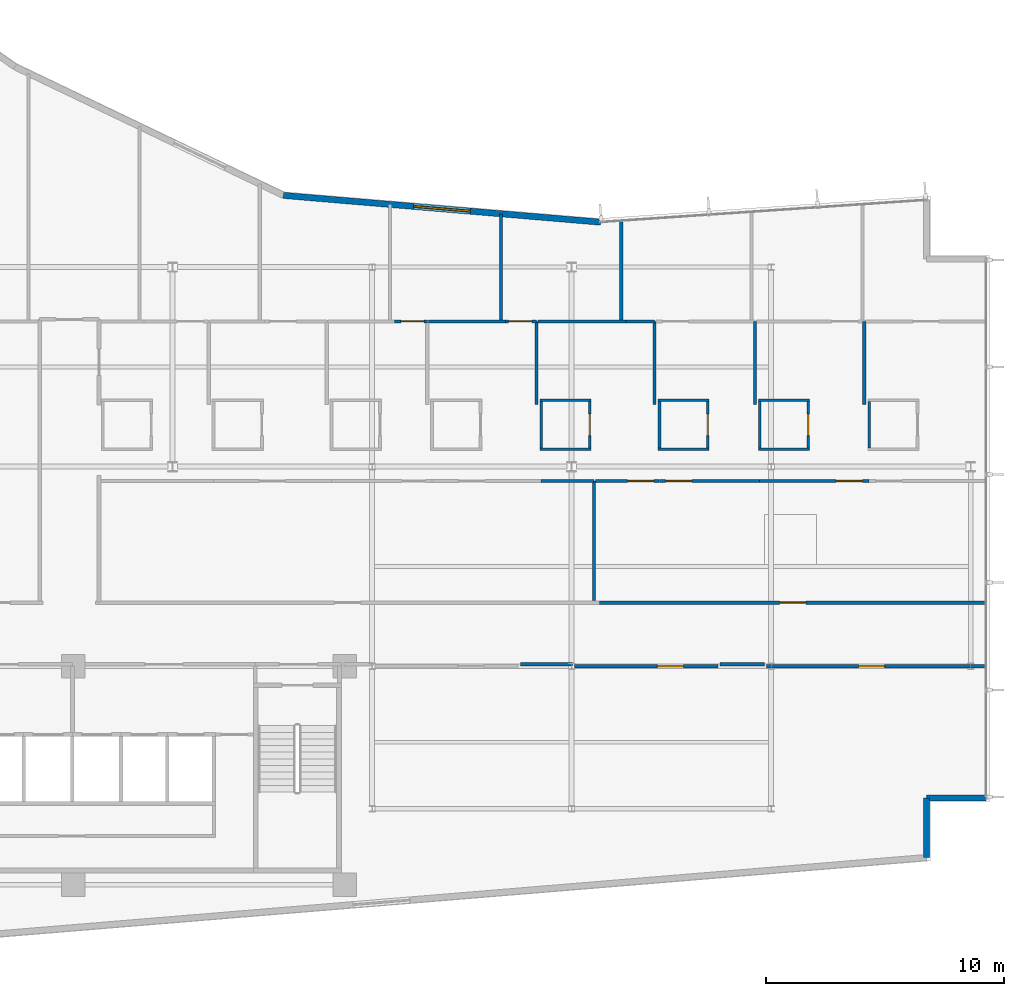
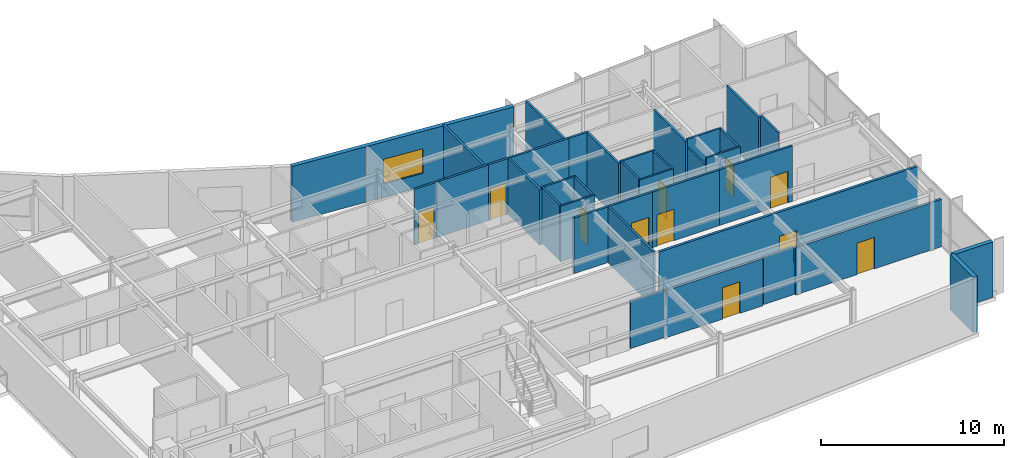
# One storey, part 12 of 16: 37 walls, 11 doors, 1 window, 12 openings.
"""IFC4 building model written with IfcOpenShell, lengths in metres."""

from ifc_helpers import new_model, si_unit, direction, frame, frame_2d, origin, place, context, subcontext, project, spatial, rectangle, extrude, material, layer, layer_set, type_object, element, fill, save


model = new_model("IFC4")

# Units and contexts
model_context = context("Model", 3, precision=1e-05, world=origin(), true_north=direction((0.0, 1.0)))
body_context = subcontext(model_context, "Body", "Model", "MODEL_VIEW")
ifc_project = project(units=[si_unit("LENGTHUNIT", "METRE"), si_unit("AREAUNIT", "SQUARE_METRE"), si_unit("VOLUMEUNIT", "CUBIC_METRE"), si_unit("PLANEANGLEUNIT", "RADIAN"), si_unit("MASSUNIT", "GRAM", prefix="KILO")], contexts=[model_context])

# Site, building, storey
site_placement = place(None, origin())
site = spatial("IfcSite", under=ifc_project, at=site_placement, CompositionType="ELEMENT")
building_placement = place(site_placement, origin())
building = spatial("IfcBuilding", under=site, at=building_placement, Name="Varnakote Quay Hospital", CompositionType="ELEMENT")
storey_placement = place(building_placement, frame((0.0, 0.0, 223.699951171875)))
storey = spatial("IfcBuildingStorey", under=building, at=storey_placement, Name="L55", CompositionType="ELEMENT", Elevation=223.699951171875)

# Walls
ifc_material_1 = material(Name="Fire-rated acoustic gypsum stud wall", Category="gypsum")
ifc_layer_1 = layer(ifc_material_1, 0.159912109375)
ifc_layer_set_1 = layer_set([ifc_layer_1], Name="Fire-rated acoustic gypsum stud wall")
wall_type_1 = type_object("IfcWallType", Name="WL-COMP-160", PredefinedType="PARTITIONING", material=ifc_layer_set_1)
wall_1_placement = place(storey_placement, frame((31.439208984375, 12.080078125, 0.0), z_axis=(0.0, 0.0, 1.0), x_axis=(1.0, 0.0, 0.0)))
element("IfcWall", 1, at=wall_1_placement, inside=storey, type_object=wall_type_1, Name="L55 Corridor South Gap Wall", PredefinedType="PARTITIONING", context=body_context, shape_type="SweptSolid", body=[
    extrude(rectangle(XDim=2.199462890625, YDim=0.159912109375, at=frame_2d((1.099609375, 0.0))), origin(), (0.0, 0.0, 1.0), 3.152099609375),
])
wall_2_placement = place(storey_placement, frame((39.83935546875, 12.080078125, 0.0), z_axis=(0.0, 0.0, 1.0), x_axis=(1.0, 0.0, 0.0)))
element("IfcWall", 2, at=wall_2_placement, inside=storey, type_object=wall_type_1, Name="L55 Corridor South Gap Wall", PredefinedType="PARTITIONING", context=body_context, shape_type="SweptSolid", body=[
    extrude(rectangle(XDim=1.871337890625, YDim=0.159912109375, at=frame_2d((0.935546875, 0.0))), origin(), (0.0, 0.0, 1.0), 3.152099609375),
])
ifc_material_2 = material(Name="Moisture-resistant bathroom partition", Category="gypsum")
ifc_layer_2 = layer(ifc_material_2, 0.114990234375)
ifc_layer_set_2 = layer_set([ifc_layer_2], Name="Moisture-resistant bathroom partition")
wall_type_2 = type_object("IfcWallType", Name="WL-ENS-115", PredefinedType="PARTITIONING", material=ifc_layer_set_2)
for number, where, z_axis, x_axis, name in (
    (3, (32.264892578125, 21.132568359375, 0.0), (0.0, 0.0, 1.0), (1.0, 0.0, 0.0), "L55 Inpatient En-Suite Bathroom 05 S Wall"),
    (4, (32.264892578125, 23.197509765625, 0.0), (0.0, 0.0, 1.0), (1.0, 0.0, 0.0), "L55 Inpatient En-Suite Bathroom 05 N Wall"),
):
    element("IfcWall", number, at=place(storey_placement, frame(where, z_axis=z_axis, x_axis=x_axis)), inside=storey, type_object=wall_type_2, Name=name, PredefinedType="PARTITIONING", context=body_context, shape_type="SweptSolid", body=[
        extrude(rectangle(XDim=2.150146484375, YDim=0.114990234375, at=frame_2d((1.0751953125, 0.0))), origin(), (0.0, 0.0, 1.0), 3.7099609375),
    ])
wall_3_placement = place(storey_placement, frame((32.322509765625, 21.18994140625, 0.0), z_axis=(0.0, 0.0, 1.0), x_axis=(0.0, 1.0, 0.0)))
element("IfcWall", 5, at=wall_3_placement, inside=storey, type_object=wall_type_2, Name="L55 Inpatient En-Suite Bathroom 05 W Wall", PredefinedType="PARTITIONING", context=body_context, shape_type="SweptSolid", body=[
    extrude(rectangle(XDim=1.949951171875, YDim=0.114990234375, at=frame_2d((0.97509765625, 0.0))), origin(), (0.0, 0.0, 1.0), 3.7099609375),
])

# Wall, opening, door
wall_4_placement = place(storey_placement, frame((34.357421875, 21.18994140625, 0.0), z_axis=(0.0, 0.0, 1.0), x_axis=(0.0, 1.0, 0.0)))
wall_4 = element("IfcWall", 6, at=wall_4_placement, inside=storey, type_object=wall_type_2, Name="L55 Inpatient En-Suite Bathroom 05 E Wall", PredefinedType="PARTITIONING", context=body_context, shape_type="SweptSolid", body=[
    extrude(rectangle(XDim=1.949951171875, YDim=0.114990234375, at=frame_2d((0.97509765625, 0.0))), origin(), (0.0, 0.0, 1.0), 3.7099609375),
])
opening_1_placement = place(wall_4_placement, frame((0.514892578125, 0.0, 0.0)))
opening_1 = element("IfcOpeningElement", 7, at=opening_1_placement, cuts=wall_4, Name="Opening D-L55-ENS05", PredefinedType="OPENING", context=body_context, shape_type="SweptSolid", body=[
    extrude(rectangle(XDim=0.919921875, YDim=2.10009765625, at=frame_2d((0.4599609375, 1.050048828125))), frame((0.0, 0.0673828125, 0.0), z_axis=(0.0, -1.0, 0.0), x_axis=(1.0, 0.0, 0.0)), (0.0, 0.0, 1.0), 0.135009765625),
])
ifc_material_3 = material(Name="Moisture-sealed en-suite bathroom door")
door_type_1 = type_object("IfcDoorType", Name="DR-ENS-920x2100", OperationType="NOTDEFINED", PredefinedType="DOOR", material=ifc_material_3)
door_1_placement = place(opening_1_placement, origin())
door_1 = element("IfcDoor", 8, at=door_1_placement, inside=storey, type_object=door_type_1, Name="L55 Inpatient En-Suite Bathroom 05 Door", OperationType="SINGLE_SWING_LEFT", OverallHeight=2.10009765625, OverallWidth=0.919921875, PredefinedType="DOOR", context=body_context, shape_type="SweptSolid", body=[
    extrude(rectangle(XDim=0.919921875, YDim=2.10009765625, at=frame_2d((0.4599609375, 1.050048828125))), frame((0.0, 0.02490234375, 0.0), z_axis=(0.0, -1.0, 0.0), x_axis=(1.0, 0.0, 0.0)), (0.0, 0.0, 1.0), 0.050048828125),
])
fill(opening_1, door_1)

# Walls
for number, where, z_axis, x_axis, name in (
    (9, (37.235107421875, 21.132568359375, 0.0), (0.0, 0.0, 1.0), (1.0, 0.0, 0.0), "L55 Inpatient En-Suite Bathroom 06 S Wall"),
    (10, (37.235107421875, 23.197509765625, 0.0), (0.0, 0.0, 1.0), (1.0, 0.0, 0.0), "L55 Inpatient En-Suite Bathroom 06 N Wall"),
):
    element("IfcWall", number, at=place(storey_placement, frame(where, z_axis=z_axis, x_axis=x_axis)), inside=storey, type_object=wall_type_2, Name=name, PredefinedType="PARTITIONING", context=body_context, shape_type="SweptSolid", body=[
        extrude(rectangle(XDim=2.14990234375, YDim=0.114990234375, at=frame_2d((1.074951171875, 0.0))), origin(), (0.0, 0.0, 1.0), 3.7099609375),
    ])
wall_5_placement = place(storey_placement, frame((37.29248046875, 21.18994140625, 0.0), z_axis=(0.0, 0.0, 1.0), x_axis=(0.0, 1.0, 0.0)))
element("IfcWall", 11, at=wall_5_placement, inside=storey, type_object=wall_type_2, Name="L55 Inpatient En-Suite Bathroom 06 W Wall", PredefinedType="PARTITIONING", context=body_context, shape_type="SweptSolid", body=[
    extrude(rectangle(XDim=1.949951171875, YDim=0.114990234375, at=frame_2d((0.97509765625, 0.0))), origin(), (0.0, 0.0, 1.0), 3.7099609375),
])

# Wall, opening, door
wall_6_placement = place(storey_placement, frame((39.327392578125, 21.18994140625, 0.0), z_axis=(0.0, 0.0, 1.0), x_axis=(0.0, 1.0, 0.0)))
wall_6 = element("IfcWall", 12, at=wall_6_placement, inside=storey, type_object=wall_type_2, Name="L55 Inpatient En-Suite Bathroom 06 E Wall", PredefinedType="PARTITIONING", context=body_context, shape_type="SweptSolid", body=[
    extrude(rectangle(XDim=1.949951171875, YDim=0.114990234375, at=frame_2d((0.97509765625, 0.0))), origin(), (0.0, 0.0, 1.0), 3.7099609375),
])
opening_2_placement = place(wall_6_placement, frame((0.514892578125, 0.0, 0.0)))
opening_2 = element("IfcOpeningElement", 13, at=opening_2_placement, cuts=wall_6, Name="Opening D-L55-ENS06", PredefinedType="OPENING", context=body_context, shape_type="SweptSolid", body=[
    extrude(rectangle(XDim=0.919921875, YDim=2.10009765625, at=frame_2d((0.4599609375, 1.050048828125))), frame((0.0, 0.0673828125, 0.0), z_axis=(0.0, -1.0, 0.0), x_axis=(1.0, 0.0, 0.0)), (0.0, 0.0, 1.0), 0.135009765625),
])
door_2_placement = place(opening_2_placement, origin())
door_2 = element("IfcDoor", 14, at=door_2_placement, inside=storey, type_object=door_type_1, Name="L55 Inpatient En-Suite Bathroom 06 Door", OperationType="SINGLE_SWING_RIGHT", OverallHeight=2.10009765625, OverallWidth=0.919921875, PredefinedType="DOOR", context=body_context, shape_type="SweptSolid", body=[
    extrude(rectangle(XDim=0.919921875, YDim=2.10009765625, at=frame_2d((0.4599609375, 1.050048828125))), frame((0.0, 0.02490234375, 0.0), z_axis=(0.0, -1.0, 0.0), x_axis=(1.0, 0.0, 0.0)), (0.0, 0.0, 1.0), 0.050048828125),
])
fill(opening_2, door_2)

# Walls
for number, where, z_axis, x_axis, name in (
    (15, (41.465087890625, 21.132568359375, 0.0), (0.0, 0.0, 1.0), (1.0, 0.0, 0.0), "L55 Inpatient En-Suite Bathroom 07 S Wall"),
    (16, (41.465087890625, 23.197509765625, 0.0), (0.0, 0.0, 1.0), (1.0, 0.0, 0.0), "L55 Inpatient En-Suite Bathroom 07 N Wall"),
):
    element("IfcWall", number, at=place(storey_placement, frame(where, z_axis=z_axis, x_axis=x_axis)), inside=storey, type_object=wall_type_2, Name=name, PredefinedType="PARTITIONING", context=body_context, shape_type="SweptSolid", body=[
        extrude(rectangle(XDim=2.14990234375, YDim=0.114990234375, at=frame_2d((1.074951171875, 0.0))), origin(), (0.0, 0.0, 1.0), 3.7099609375),
    ])
wall_7_placement = place(storey_placement, frame((41.5224609375, 21.18994140625, 0.0), z_axis=(0.0, 0.0, 1.0), x_axis=(0.0, 1.0, 0.0)))
element("IfcWall", 17, at=wall_7_placement, inside=storey, type_object=wall_type_2, Name="L55 Inpatient En-Suite Bathroom 07 W Wall", PredefinedType="PARTITIONING", context=body_context, shape_type="SweptSolid", body=[
    extrude(rectangle(XDim=1.949951171875, YDim=0.114990234375, at=frame_2d((0.97509765625, 0.0))), origin(), (0.0, 0.0, 1.0), 3.156982421875),
])

# Wall, opening, door
wall_8_placement = place(storey_placement, frame((43.5576171875, 21.18994140625, 0.0), z_axis=(0.0, 0.0, 1.0), x_axis=(0.0, 1.0, 0.0)))
wall_8 = element("IfcWall", 18, at=wall_8_placement, inside=storey, type_object=wall_type_2, Name="L55 Inpatient En-Suite Bathroom 07 E Wall", PredefinedType="PARTITIONING", context=body_context, shape_type="SweptSolid", body=[
    extrude(rectangle(XDim=1.949951171875, YDim=0.114990234375, at=frame_2d((0.97509765625, 0.0))), origin(), (0.0, 0.0, 1.0), 3.7099609375),
])
opening_3_placement = place(wall_8_placement, frame((0.514892578125, 0.0, 0.0)))
opening_3 = element("IfcOpeningElement", 19, at=opening_3_placement, cuts=wall_8, Name="Opening D-L55-ENS07", PredefinedType="OPENING", context=body_context, shape_type="SweptSolid", body=[
    extrude(rectangle(XDim=0.919921875, YDim=2.10009765625, at=frame_2d((0.4599609375, 1.050048828125))), frame((0.0, 0.0673828125, 0.0), z_axis=(0.0, -1.0, 0.0), x_axis=(1.0, 0.0, 0.0)), (0.0, 0.0, 1.0), 0.135009765625),
])
door_3_placement = place(opening_3_placement, origin())
door_3 = element("IfcDoor", 20, at=door_3_placement, inside=storey, type_object=door_type_1, Name="L55 Inpatient En-Suite Bathroom 07 Door", OperationType="SINGLE_SWING_LEFT", OverallHeight=2.10009765625, OverallWidth=0.919921875, PredefinedType="DOOR", context=body_context, shape_type="SweptSolid", body=[
    extrude(rectangle(XDim=0.919921875, YDim=2.10009765625, at=frame_2d((0.4599609375, 1.050048828125))), frame((0.0, 0.02490234375, 0.0), z_axis=(0.0, -1.0, 0.0), x_axis=(1.0, 0.0, 0.0)), (0.0, 0.0, 1.0), 0.050048828125),
])
fill(opening_3, door_3)

# Walls
wall_9_placement = place(storey_placement, frame((46.12255859375, 21.18994140625, 0.0), z_axis=(0.0, 0.0, 1.0), x_axis=(0.0, 1.0, 0.0)))
element("IfcWall", 21, at=wall_9_placement, inside=storey, type_object=wall_type_2, Name="L55 Inpatient En-Suite Bathroom 08 W Wall", PredefinedType="PARTITIONING", context=body_context, shape_type="SweptSolid", body=[
    extrude(rectangle(XDim=1.949951171875, YDim=0.114990234375, at=frame_2d((0.97509765625, 0.0))), origin(), (0.0, 0.0, 1.0), 3.7099609375),
])
ifc_material_4 = material(Name="Precast concrete N50 (f'c 50 MPa)", Category="concrete")
ifc_layer_3 = layer(ifc_material_4, 0.260009765625)
ifc_layer_set_3 = layer_set([ifc_layer_3], Name="Precast concrete N50 (f'c 50 MPa)")
wall_type_3 = type_object("IfcWallType", Name="WL-EXT-BRICK-260", PredefinedType="STANDARD", material=ifc_layer_set_3)
wall_10_placement = place(storey_placement, frame((48.5400390625, 3.947509765625, 0.0), z_axis=(0.0, 0.0, 1.0), x_axis=(0.0, 1.0, 0.0)))
element("IfcWall", 22, at=wall_10_placement, inside=storey, type_object=wall_type_3, Name="L55 Brick-Faced Precast Exterior Wall", PredefinedType="STANDARD", context=body_context, shape_type="SweptSolid", body=[
    extrude(rectangle(XDim=2.512451171875, YDim=0.260009765625, at=frame_2d((1.25634765625, 0.0))), origin(), (0.0, 0.0, 1.0), 3.7099609375),
])
wall_11_placement = place(storey_placement, frame((48.5400390625, 6.4599609375, 0.0), z_axis=(0.0, 0.0, 1.0), x_axis=(1.0, 0.0, 0.0)))
element("IfcWall", 23, at=wall_11_placement, inside=storey, type_object=wall_type_3, Name="L55 Brick-Faced Precast Exterior Wall", PredefinedType="STANDARD", context=body_context, shape_type="SweptSolid", body=[
    extrude(rectangle(XDim=2.5, YDim=0.260009765625, at=frame_2d((1.25, 0.0))), origin(), (0.0, 0.0, 1.0), 3.7099609375),
])

# Wall, opening, window
wall_12_placement = place(storey_placement, frame((34.814697265625, 30.695556640625, 0.0), z_axis=(0.0, 0.0, 1.0), x_axis=(-0.996454704935, 0.084130975344, 0.0)))
wall_12 = element("IfcWall", 24, at=wall_12_placement, inside=storey, type_object=wall_type_3, Name="L55 Brick-Faced Precast Exterior Wall", PredefinedType="STANDARD", context=body_context, shape_type="SweptSolid", body=[
    extrude(rectangle(XDim=13.401123046875, YDim=0.260009765625, at=frame_2d((6.70068359375, 0.0))), origin(), (0.0, 0.0, 1.0), 3.7099609375),
])
opening_4_placement = place(wall_12_placement, frame((5.50048828125, 0.0, 0.89990234375)))
opening_4 = element("IfcOpeningElement", 25, at=opening_4_placement, cuts=wall_12, Name="Opening WN-0227", PredefinedType="OPENING", context=body_context, shape_type="SweptSolid", body=[
    extrude(rectangle(XDim=2.39990234375, YDim=1.64990234375, at=frame_2d((1.199951171875, 0.824951171875))), frame((0.0, 0.139892578125, 0.0), z_axis=(0.0, -1.0, 0.0), x_axis=(1.0, 0.0, 0.0)), (0.0, 0.0, 1.0), 0.280029296875),
])
ifc_material_5 = material(Name="Double-glazed low-E solar glass", Category="glass")
window_type = type_object("IfcWindowType", Name="WIN-CLIN-2400x1650", PartitioningType="SINGLE_PANEL", PredefinedType="WINDOW", material=ifc_material_5)
window_placement = place(opening_4_placement, origin())
window = element("IfcWindow", 26, at=window_placement, inside=storey, type_object=window_type, Name="L55 Solar-Control Clinical Window", OverallHeight=1.64990234375, OverallWidth=2.39990234375, PartitioningType="SINGLE_PANEL", PredefinedType="WINDOW", context=body_context, shape_type="SweptSolid", body=[
    extrude(rectangle(XDim=2.39990234375, YDim=1.64990234375, at=frame_2d((1.199951171875, 0.824951171875))), frame((0.0, 0.030029296875, 0.0), z_axis=(0.0, -1.0, 0.0), x_axis=(1.0, 0.0, 0.0)), (0.0, 0.0, 1.0), 0.06005859375),
])
fill(opening_4, window)

# Walls
ifc_material_6 = material(Name="Smoke-proof clinical partition", Category="gypsum")
ifc_layer_4 = layer(ifc_material_6, 0.135009765625)
ifc_layer_set_4 = layer_set([ifc_layer_4], Name="Smoke-proof clinical partition")
wall_type_4 = type_object("IfcWallType", Name="WL-SMOKE-135", PredefinedType="PARTITIONING", material=ifc_layer_set_4)
wall_13_placement = place(storey_placement, frame((34.5400390625, 14.760009765625, 0.0), z_axis=(0.0, 0.0, 1.0), x_axis=(0.0, 1.0, 0.0)))
element("IfcWall", 27, at=wall_13_placement, inside=storey, type_object=wall_type_4, Name="L55 Clinical Interior Partition", PredefinedType="PARTITIONING", context=body_context, shape_type="SweptSolid", body=[
    extrude(rectangle(XDim=5.0400390625, YDim=0.135009765625, at=frame_2d((2.52001953125, 0.0))), origin(), (0.0, 0.0, 1.0), 3.7099609375),
])
wall_14_placement = place(storey_placement, frame((34.5400390625, 19.800048828125, 0.0), z_axis=(0.0, 0.0, 1.0), x_axis=(-1.0, 0.0, 0.0)))
element("IfcWall", 28, at=wall_14_placement, inside=storey, type_object=wall_type_4, Name="L55 Clinical Interior Partition", PredefinedType="PARTITIONING", context=body_context, shape_type="SweptSolid", body=[
    extrude(rectangle(XDim=2.223388671875, YDim=0.135009765625, at=frame_2d((1.11181640625, 0.0))), origin(), (0.0, 0.0, 1.0), 3.7099609375),
])

# Wall, opening, door
wall_15_placement = place(storey_placement, frame((37.28466796875, 19.800048828125, 0.0), z_axis=(0.0, 0.0, 1.0), x_axis=(-1.0, 0.0, 0.0)))
wall_15 = element("IfcWall", 29, at=wall_15_placement, inside=storey, type_object=wall_type_4, Name="L55 Clinical Interior Partition", PredefinedType="PARTITIONING", context=body_context, shape_type="SweptSolid", body=[
    extrude(rectangle(XDim=2.687255859375, YDim=0.135009765625, at=frame_2d((1.34375, 0.0))), origin(), (0.0, 0.0, 1.0), 3.7099609375),
])
opening_5_placement = place(wall_15_placement, frame((0.229736328125, 0.0, 0.0)))
opening_5 = element("IfcOpeningElement", 30, at=opening_5_placement, cuts=wall_15, Name="Opening D-L55-BR05", PredefinedType="OPENING", context=body_context, shape_type="SweptSolid", body=[
    extrude(rectangle(XDim=1.10009765625, YDim=2.10009765625, at=frame_2d((0.550048828125, 1.050048828125))), frame((0.0, 0.077392578125, 0.0), z_axis=(0.0, -1.0, 0.0), x_axis=(1.0, 0.0, 0.0)), (0.0, 0.0, 1.0), 0.155029296875),
])
ifc_material_7 = material(Name="Acoustic timber clinical consult door", Category="wood")
door_type_2 = type_object("IfcDoorType", Name="DR-CLIN-FD30S-1100x2100", OperationType="NOTDEFINED", PredefinedType="DOOR", material=ifc_material_7)
door_4_placement = place(opening_5_placement, origin())
door_4 = element("IfcDoor", 31, at=door_4_placement, inside=storey, type_object=door_type_2, Name="L55 Inpatient Clinical Treatment Room 05 Door", OperationType="SINGLE_SWING_LEFT", OverallHeight=2.10009765625, OverallWidth=1.10009765625, PredefinedType="DOOR", context=body_context, shape_type="SweptSolid", body=[
    extrude(rectangle(XDim=1.10009765625, YDim=2.10009765625, at=frame_2d((0.550048828125, 1.050048828125))), frame((0.0, 0.02490234375, 0.0), z_axis=(0.0, -1.0, 0.0), x_axis=(1.0, 0.0, 0.0)), (0.0, 0.0, 1.0), 0.050048828125),
])
fill(opening_5, door_4)

wall_16_placement = place(storey_placement, frame((41.5146484375, 19.800048828125, 0.0), z_axis=(0.0, 0.0, 1.0), x_axis=(-1.0, 0.0, 0.0)))
wall_16 = element("IfcWall", 32, at=wall_16_placement, inside=storey, type_object=wall_type_4, Name="L55 Clinical Interior Partition", PredefinedType="PARTITIONING", context=body_context, shape_type="SweptSolid", body=[
    extrude(rectangle(XDim=4.22802734375, YDim=0.135009765625, at=frame_2d((2.114013671875, 0.0))), origin(), (0.0, 0.0, 1.0), 3.7099609375),
])
opening_6_placement = place(wall_16_placement, frame((2.85986328125, 0.0, 0.0)))
opening_6 = element("IfcOpeningElement", 33, at=opening_6_placement, cuts=wall_16, Name="Opening D-L55-BR06", PredefinedType="OPENING", context=body_context, shape_type="SweptSolid", body=[
    extrude(rectangle(XDim=1.10009765625, YDim=2.10009765625, at=frame_2d((0.550048828125, 1.050048828125))), frame((0.0, 0.077392578125, 0.0), z_axis=(0.0, -1.0, 0.0), x_axis=(1.0, 0.0, 0.0)), (0.0, 0.0, 1.0), 0.155029296875),
])
door_5_placement = place(opening_6_placement, origin())
door_5 = element("IfcDoor", 34, at=door_5_placement, inside=storey, type_object=door_type_2, Name="L55 Inpatient Clinical Treatment Room 06 Door", OperationType="SINGLE_SWING_RIGHT", OverallHeight=2.10009765625, OverallWidth=1.10009765625, PredefinedType="DOOR", context=body_context, shape_type="SweptSolid", body=[
    extrude(rectangle(XDim=1.10009765625, YDim=2.10009765625, at=frame_2d((0.550048828125, 1.050048828125))), frame((0.0, 0.02490234375, 0.0), z_axis=(0.0, -1.0, 0.0), x_axis=(1.0, 0.0, 0.0)), (0.0, 0.0, 1.0), 0.050048828125),
])
fill(opening_6, door_5)

wall_17_placement = place(storey_placement, frame((46.114501953125, 19.800048828125, 0.0), z_axis=(0.0, 0.0, 1.0), x_axis=(-1.0, 0.0, 0.0)))
wall_17 = element("IfcWall", 35, at=wall_17_placement, inside=storey, type_object=wall_type_4, Name="L55 Clinical Interior Partition", PredefinedType="PARTITIONING", context=body_context, shape_type="SweptSolid", body=[
    extrude(rectangle(XDim=4.597900390625, YDim=0.135009765625, at=frame_2d((2.298828125, 0.0))), origin(), (0.0, 0.0, 1.0), 3.7099609375),
])
opening_7_placement = place(wall_17_placement, frame((0.277587890625, 0.0, 0.0)))
opening_7 = element("IfcOpeningElement", 36, at=opening_7_placement, cuts=wall_17, Name="Opening D-L55-BR07", PredefinedType="OPENING", context=body_context, shape_type="SweptSolid", body=[
    extrude(rectangle(XDim=1.10009765625, YDim=2.10009765625, at=frame_2d((0.550048828125, 1.050048828125))), frame((0.0, 0.077392578125, 0.0), z_axis=(0.0, -1.0, 0.0), x_axis=(1.0, 0.0, 0.0)), (0.0, 0.0, 1.0), 0.155029296875),
])
door_6_placement = place(opening_7_placement, origin())
door_6 = element("IfcDoor", 37, at=door_6_placement, inside=storey, type_object=door_type_2, Name="L55 Inpatient Clinical Treatment Room 07 Door", OperationType="SINGLE_SWING_LEFT", OverallHeight=2.10009765625, OverallWidth=1.10009765625, PredefinedType="DOOR", context=body_context, shape_type="SweptSolid", body=[
    extrude(rectangle(XDim=1.10009765625, YDim=2.10009765625, at=frame_2d((0.550048828125, 1.050048828125))), frame((0.0, 0.02490234375, 0.0), z_axis=(0.0, -1.0, 0.0), x_axis=(1.0, 0.0, 0.0)), (0.0, 0.0, 1.0), 0.050048828125),
])
fill(opening_7, door_6)

wall_18_placement = place(storey_placement, frame((27.52001953125, 26.52001953125, 0.0), z_axis=(0.0, 0.0, 1.0), x_axis=(-1.0, 0.0, 0.0)))
wall_18 = element("IfcWall", 38, at=wall_18_placement, inside=storey, type_object=wall_type_4, Name="L55 Clinical Interior Partition", PredefinedType="PARTITIONING", context=body_context, shape_type="SweptSolid", body=[
    extrude(rectangle(XDim=1.37353515625, YDim=0.135009765625, at=frame_2d((0.686767578125, 0.0))), origin(), (0.0, 0.0, 1.0), 3.7099609375),
])
opening_8_placement = place(wall_18_placement, frame((0.1328125, 0.0, 0.0)))
opening_8 = element("IfcOpeningElement", 39, at=opening_8_placement, cuts=wall_18, Name="Opening D-L55-MD08", PredefinedType="OPENING", context=body_context, shape_type="SweptSolid", body=[
    extrude(rectangle(XDim=0.97998046875, YDim=2.10009765625, at=frame_2d((0.489990234375, 1.050048828125))), frame((0.0, 0.077392578125, 0.0), z_axis=(0.0, -1.0, 0.0), x_axis=(1.0, 0.0, 0.0)), (0.0, 0.0, 1.0), 0.155029296875),
])
ifc_material_8 = material(Name="Accessible sanitary compartment door")
door_type_3 = type_object("IfcDoorType", Name="DR-WC-980x2100", OperationType="NOTDEFINED", PredefinedType="DOOR", material=ifc_material_8)
door_7_placement = place(opening_8_placement, origin())
door_7 = element("IfcDoor", 40, at=door_7_placement, inside=storey, type_object=door_type_3, Name="L55 Patient Wellness Meeting Room Door", OperationType="SINGLE_SWING_LEFT", OverallHeight=2.10009765625, OverallWidth=0.97998046875, PredefinedType="DOOR", context=body_context, shape_type="SweptSolid", body=[
    extrude(rectangle(XDim=0.97998046875, YDim=2.10009765625, at=frame_2d((0.489990234375, 1.050048828125))), frame((0.0, 0.02490234375, 0.0), z_axis=(0.0, -1.0, 0.0), x_axis=(1.0, 0.0, 0.0)), (0.0, 0.0, 1.0), 0.050048828125),
])
fill(opening_8, door_7)

# Walls
wall_19_placement = place(storey_placement, frame((32.1201171875, 23.012451171875, 0.0), z_axis=(0.0, 0.0, 1.0), x_axis=(0.0, 1.0, 0.0)))
element("IfcWall", 41, at=wall_19_placement, inside=storey, type_object=wall_type_4, Name="L55 Clinical Interior Partition", PredefinedType="PARTITIONING", context=body_context, shape_type="SweptSolid", body=[
    extrude(rectangle(XDim=3.507568359375, YDim=0.135009765625, at=frame_2d((1.75390625, 0.0))), origin(), (0.0, 0.0, 1.0), 3.7099609375),
])
wall_20_placement = place(storey_placement, frame((30.814697265625, 26.52001953125, 0.0), z_axis=(0.0, 0.0, 1.0), x_axis=(-1.0, 0.0, 0.0)))
element("IfcWall", 42, at=wall_20_placement, inside=storey, type_object=wall_type_4, Name="L55 Clinical Interior Partition", PredefinedType="PARTITIONING", context=body_context, shape_type="SweptSolid", body=[
    extrude(rectangle(XDim=3.2373046875, YDim=0.135009765625, at=frame_2d((1.61865234375, 0.0))), origin(), (0.0, 0.0, 1.0), 3.7099609375),
])

# Wall, opening, door
wall_21_placement = place(storey_placement, frame((32.1201171875, 26.52001953125, 0.0), z_axis=(0.0, 0.0, 1.0), x_axis=(-1.0, 0.0, 0.0)))
wall_21 = element("IfcWall", 43, at=wall_21_placement, inside=storey, type_object=wall_type_4, Name="L55 Clinical Interior Partition", PredefinedType="PARTITIONING", context=body_context, shape_type="SweptSolid", body=[
    extrude(rectangle(XDim=1.303466796875, YDim=0.135009765625, at=frame_2d((0.65185546875, 0.0))), origin(), (0.0, 0.0, 1.0), 3.7099609375),
])
opening_9_placement = place(wall_21_placement, frame((0.194091796875, 0.0, 0.0)))
opening_9 = element("IfcOpeningElement", 44, at=opening_9_placement, cuts=wall_21, Name="Opening D-L55-MD09", PredefinedType="OPENING", context=body_context, shape_type="SweptSolid", body=[
    extrude(rectangle(XDim=0.97998046875, YDim=2.10009765625, at=frame_2d((0.489990234375, 1.050048828125))), frame((0.0, 0.077392578125, 0.0), z_axis=(0.0, -1.0, 0.0), x_axis=(1.0, 0.0, 0.0)), (0.0, 0.0, 1.0), 0.155029296875),
])
door_8_placement = place(opening_9_placement, origin())
door_8 = element("IfcDoor", 45, at=door_8_placement, inside=storey, type_object=door_type_3, Name="L55 Ward Clinical Consultation Office Door", OperationType="SINGLE_SWING_RIGHT", OverallHeight=2.10009765625, OverallWidth=0.97998046875, PredefinedType="DOOR", context=body_context, shape_type="SweptSolid", body=[
    extrude(rectangle(XDim=0.97998046875, YDim=2.10009765625, at=frame_2d((0.489990234375, 1.050048828125))), frame((0.0, 0.02490234375, 0.0), z_axis=(0.0, -1.0, 0.0), x_axis=(1.0, 0.0, 0.0)), (0.0, 0.0, 1.0), 0.050048828125),
])
fill(opening_9, door_8)

# Walls
wall_22_placement = place(storey_placement, frame((37.090087890625, 23.012451171875, 0.0), z_axis=(0.0, 0.0, 1.0), x_axis=(0.0, 1.0, 0.0)))
element("IfcWall", 46, at=wall_22_placement, inside=storey, type_object=wall_type_4, Name="L55 Clinical Interior Partition", PredefinedType="PARTITIONING", context=body_context, shape_type="SweptSolid", body=[
    extrude(rectangle(XDim=3.507568359375, YDim=0.135009765625, at=frame_2d((1.75390625, 0.0))), origin(), (0.0, 0.0, 1.0), 3.7099609375),
])
wall_23_placement = place(storey_placement, frame((35.884521484375, 26.52001953125, 0.0), z_axis=(0.0, 0.0, 1.0), x_axis=(-1.0, 0.0, 0.0)))
element("IfcWall", 47, at=wall_23_placement, inside=storey, type_object=wall_type_4, Name="L55 Clinical Interior Partition", PredefinedType="PARTITIONING", context=body_context, shape_type="SweptSolid", body=[
    extrude(rectangle(XDim=3.70703125, YDim=0.135009765625, at=frame_2d((1.853515625, 0.0))), origin(), (0.0, 0.0, 1.0), 3.7099609375),
])
wall_24_placement = place(storey_placement, frame((37.090087890625, 26.52001953125, 0.0), z_axis=(0.0, 0.0, 1.0), x_axis=(-1.0, 0.0, 0.0)))
element("IfcWall", 48, at=wall_24_placement, inside=storey, type_object=wall_type_4, Name="L55 Clinical Interior Partition", PredefinedType="PARTITIONING", context=body_context, shape_type="SweptSolid", body=[
    extrude(rectangle(XDim=1.203369140625, YDim=0.135009765625, at=frame_2d((0.6015625, 0.0))), origin(), (0.0, 0.0, 1.0), 3.7099609375),
])
for number, where, z_axis, x_axis, name in (
    (49, (41.320068359375, 23.012451171875, 0.0), (0.0, 0.0, 1.0), (0.0, 1.0, 0.0), "L55 Clinical Interior Partition"),
    (50, (45.919921875, 23.012451171875, 0.0), (0.0, 0.0, 1.0), (0.0, 1.0, 0.0), "L55 Clinical Interior Partition"),
):
    element("IfcWall", number, at=place(storey_placement, frame(where, z_axis=z_axis, x_axis=x_axis)), inside=storey, type_object=wall_type_4, Name=name, PredefinedType="PARTITIONING", context=body_context, shape_type="SweptSolid", body=[
        extrude(rectangle(XDim=3.507568359375, YDim=0.135009765625, at=frame_2d((1.75390625, 0.0))), origin(), (0.0, 0.0, 1.0), 3.7099609375),
    ])
wall_25_placement = place(storey_placement, frame((30.6201171875, 26.577392578125, 0.0), z_axis=(0.0, 0.0, 1.0), x_axis=(0.0, 1.0, 0.0)))
element("IfcWall", 51, at=wall_25_placement, inside=storey, type_object=wall_type_4, Name="L55 Clinical Interior Partition", PredefinedType="PARTITIONING", context=body_context, shape_type="SweptSolid", body=[
    extrude(rectangle(XDim=4.472412109375, YDim=0.135009765625, at=frame_2d((2.236328125, 0.0))), origin(), (0.0, 0.0, 1.0), 3.7099609375),
])
wall_26_placement = place(storey_placement, frame((35.68994140625, 26.577392578125, 0.0), z_axis=(0.0, 0.0, 1.0), x_axis=(0.0, 1.0, 0.0)))
element("IfcWall", 52, at=wall_26_placement, inside=storey, type_object=wall_type_4, Name="L55 Clinical Interior Partition", PredefinedType="PARTITIONING", context=body_context, shape_type="SweptSolid", body=[
    extrude(rectangle(XDim=4.177734375, YDim=0.135009765625, at=frame_2d((2.0888671875, 0.0))), origin(), (0.0, 0.0, 1.0), 3.7099609375),
])

# Wall, opening, door
ifc_material_9 = material(Name="Fire-rated clinical gypsum partition", Category="gypsum")
ifc_layer_5 = layer(ifc_material_9, 0.14990234375)
ifc_layer_set_5 = layer_set([ifc_layer_5], Name="Fire-rated clinical gypsum partition")
wall_type_5 = type_object("IfcWallType", Name="WL-WARD-150", PredefinedType="PARTITIONING", material=ifc_layer_set_5)
wall_27_placement = place(storey_placement, frame((39.75, 12.0, 0.0), z_axis=(0.0, 0.0, 1.0), x_axis=(-1.0, 0.0, 0.0)))
wall_27 = element("IfcWall", 53, at=wall_27_placement, inside=storey, type_object=wall_type_5, Name="L55 Clinical Interior Partition", PredefinedType="PARTITIONING", context=body_context, shape_type="SweptSolid", body=[
    extrude(rectangle(XDim=6.02197265625, YDim=0.14990234375, at=frame_2d((3.010986328125, 0.0))), origin(), (0.0, 0.0, 1.0), 3.152099609375),
])
opening_10_placement = place(wall_27_placement, frame((1.443603515625, 0.0, 0.0)))
opening_10 = element("IfcOpeningElement", 54, at=opening_10_placement, cuts=wall_27, Name="Opening D-L55-RM1", PredefinedType="OPENING", context=body_context, shape_type="SweptSolid", body=[
    extrude(rectangle(XDim=1.10009765625, YDim=2.10009765625, at=frame_2d((0.550048828125, 1.050048828125))), frame((0.0, 0.0849609375, 0.0), z_axis=(0.0, -1.0, 0.0), x_axis=(1.0, 0.0, 0.0)), (0.0, 0.0, 1.0), 0.169921875),
])
door_9_placement = place(opening_10_placement, origin())
door_9 = element("IfcDoor", 55, at=door_9_placement, inside=storey, type_object=door_type_2, Name="L55 Cardiac Telemetry Treatment Suite Door", OperationType="SINGLE_SWING_RIGHT", OverallHeight=2.10009765625, OverallWidth=1.10009765625, PredefinedType="DOOR", context=body_context, shape_type="SweptSolid", body=[
    extrude(rectangle(XDim=1.10009765625, YDim=2.10009765625, at=frame_2d((0.550048828125, 1.050048828125))), frame((0.0, 0.02490234375, 0.0), z_axis=(0.0, -1.0, 0.0), x_axis=(1.0, 0.0, 0.0)), (0.0, 0.0, 1.0), 0.050048828125),
])
fill(opening_10, door_9)

wall_28_placement = place(storey_placement, frame((51.0400390625, 12.0, 0.0), z_axis=(0.0, 0.0, 1.0), x_axis=(-1.0, 0.0, 0.0)))
wall_28 = element("IfcWall", 56, at=wall_28_placement, inside=storey, type_object=wall_type_5, Name="L55 Clinical Interior Partition", PredefinedType="PARTITIONING", context=body_context, shape_type="SweptSolid", body=[
    extrude(rectangle(XDim=9.239990234375, YDim=0.14990234375, at=frame_2d((4.6201171875, 0.0))), origin(), (0.0, 0.0, 1.0), 3.152099609375),
])
opening_11_placement = place(wall_28_placement, frame((4.263427734375, 0.0, 0.0)))
opening_11 = element("IfcOpeningElement", 57, at=opening_11_placement, cuts=wall_28, Name="Opening D-L55-SE1", PredefinedType="OPENING", context=body_context, shape_type="SweptSolid", body=[
    extrude(rectangle(XDim=1.10009765625, YDim=2.10009765625, at=frame_2d((0.550048828125, 1.050048828125))), frame((0.0, 0.0849609375, 0.0), z_axis=(0.0, -1.0, 0.0), x_axis=(1.0, 0.0, 0.0)), (0.0, 0.0, 1.0), 0.169921875),
])
door_10_placement = place(opening_11_placement, origin())
door_10 = element("IfcDoor", 58, at=door_10_placement, inside=storey, type_object=door_type_2, Name="L55 Clinical Biomedical Engineering Office Door", OperationType="SINGLE_SWING_LEFT", OverallHeight=2.10009765625, OverallWidth=1.10009765625, PredefinedType="DOOR", context=body_context, shape_type="SweptSolid", body=[
    extrude(rectangle(XDim=1.10009765625, YDim=2.10009765625, at=frame_2d((0.550048828125, 1.050048828125))), frame((0.0, 0.02490234375, 0.0), z_axis=(0.0, -1.0, 0.0), x_axis=(1.0, 0.0, 0.0)), (0.0, 0.0, 1.0), 0.050048828125),
])
fill(opening_11, door_10)

wall_29_placement = place(storey_placement, frame((51.0400390625, 14.679931640625, 0.0), z_axis=(0.0, 0.0, 1.0), x_axis=(-1.0, 0.0, 0.0)))
wall_29 = element("IfcWall", 59, at=wall_29_placement, inside=storey, type_object=wall_type_5, Name="L55 Clinical Interior Partition", PredefinedType="PARTITIONING", context=body_context, shape_type="SweptSolid", body=[
    extrude(rectangle(XDim=16.27197265625, YDim=0.14990234375, at=frame_2d((8.135986328125, 0.0))), origin(), (0.0, 0.0, 1.0), 3.7099609375),
])
opening_12_placement = place(wall_29_placement, frame((7.5859375, 0.0, 0.0)))
opening_12 = element("IfcOpeningElement", 60, at=opening_12_placement, cuts=wall_29, Name="Opening D-L55-MD02", PredefinedType="OPENING", context=body_context, shape_type="SweptSolid", body=[
    extrude(rectangle(XDim=1.10009765625, YDim=2.10009765625, at=frame_2d((0.550048828125, 1.050048828125))), frame((0.0, 0.0849609375, 0.0), z_axis=(0.0, -1.0, 0.0), x_axis=(1.0, 0.0, 0.0)), (0.0, 0.0, 1.0), 0.169921875),
])
door_11_placement = place(opening_12_placement, origin())
door_11 = element("IfcDoor", 61, at=door_11_placement, inside=storey, type_object=door_type_2, Name="L55 Cardiac Rehab Treatment Suite Door", OperationType="SINGLE_SWING_LEFT", OverallHeight=2.10009765625, OverallWidth=1.10009765625, PredefinedType="DOOR", context=body_context, shape_type="SweptSolid", body=[
    extrude(rectangle(XDim=1.10009765625, YDim=2.10009765625, at=frame_2d((0.550048828125, 1.050048828125))), frame((0.0, 0.02490234375, 0.0), z_axis=(0.0, -1.0, 0.0), x_axis=(1.0, 0.0, 0.0)), (0.0, 0.0, 1.0), 0.050048828125),
])
fill(opening_12, door_11)

save(model, "model.ifc")
